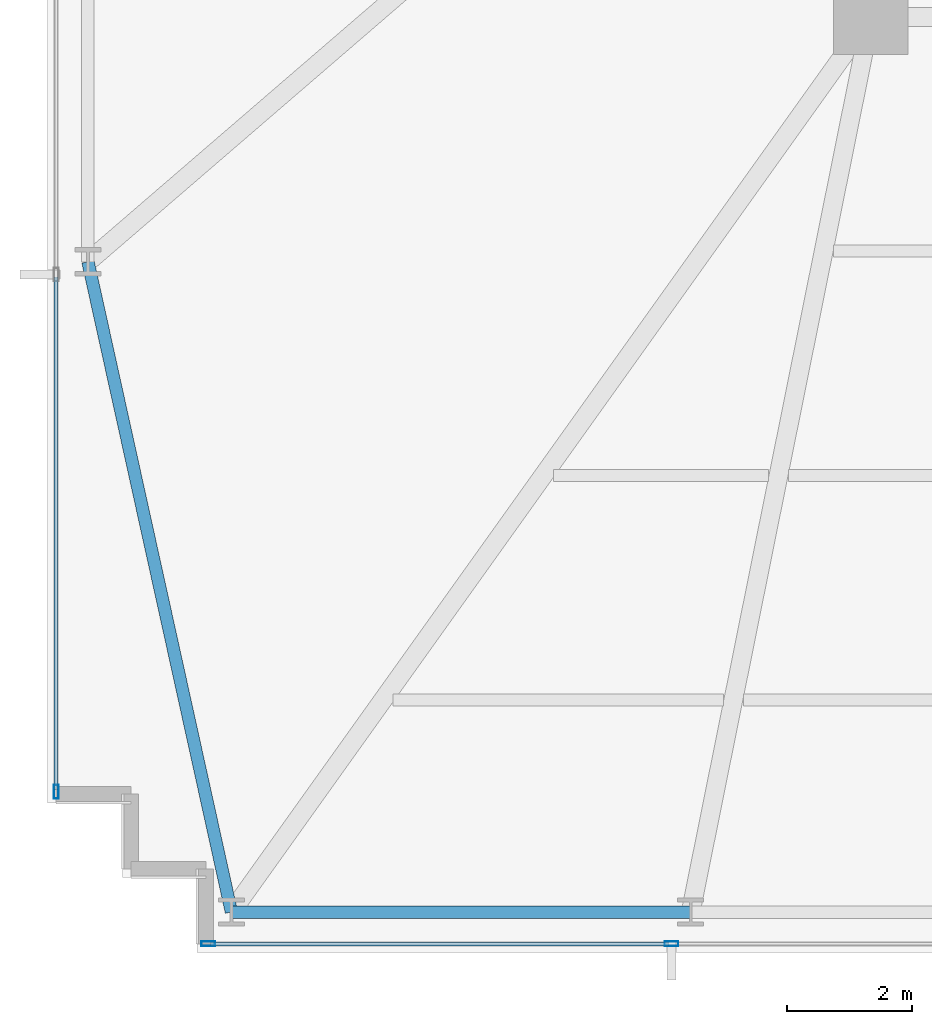
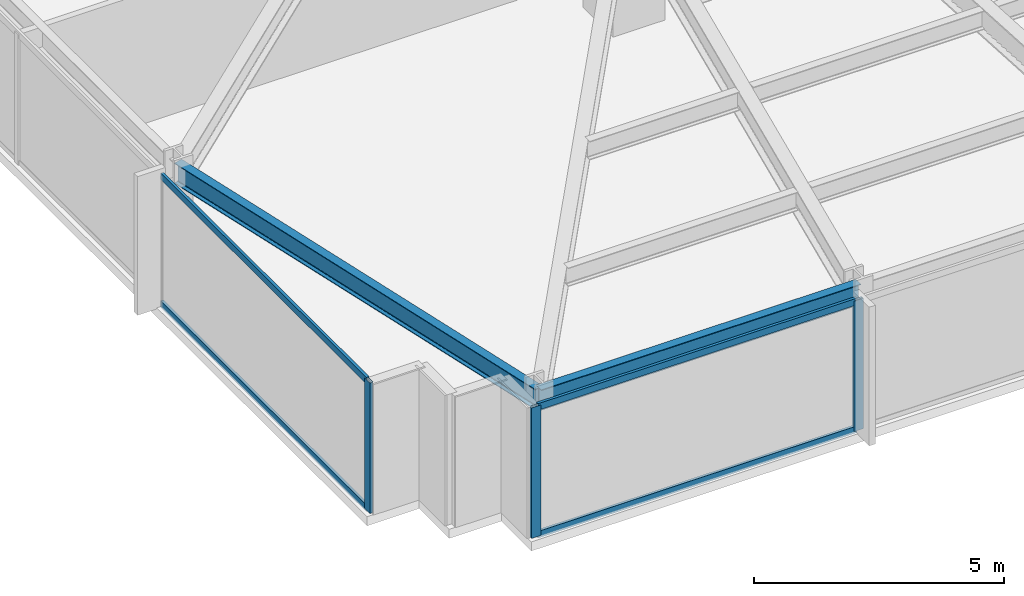
# One storey, part 2 of 32: 7 members, 2 beams, 2 elements without a shape of their own.
"""IFC4 building model written with IfcOpenShell, lengths in metres."""

from ifc_helpers import new_model, si_unit, direction, frame, origin, origin_2d, place, context, subcontext, project, spatial, hollow_rectangle, i_section, extrude, material, material_profile, profile_set, type_object, element, aggregate, save


model = new_model("IFC4")

# Units and contexts
model_context = context("Model", 3, precision=1e-05, world=origin(), true_north=direction((0.0, 1.0)))
body_context = subcontext(model_context, "Body", "Model", "MODEL_VIEW")
ifc_project = project(units=[si_unit("LENGTHUNIT", "METRE"), si_unit("AREAUNIT", "SQUARE_METRE"), si_unit("VOLUMEUNIT", "CUBIC_METRE"), si_unit("PLANEANGLEUNIT", "RADIAN"), si_unit("MASSUNIT", "GRAM", prefix="KILO")], contexts=[model_context])

# Site, building, storey
site_placement = place(None, origin())
site = spatial("IfcSite", under=ifc_project, at=site_placement, CompositionType="ELEMENT")
building_placement = place(site_placement, origin())
building = spatial("IfcBuilding", under=site, at=building_placement, Name="Yelkora Congress Tower", CompositionType="ELEMENT")
storey_placement = place(building_placement, frame((0.0, 0.0, 57.60009765625)))
storey = spatial("IfcBuildingStorey", under=building, at=storey_placement, Name="L14", CompositionType="ELEMENT", Elevation=57.60009765625)

# Beams
ifc_material_1 = material(Name="Steel S355J2", Category="steel")
ifc_material_profile_1 = material_profile(ifc_material_1, i_section(OverallWidth=0.199951171875, OverallDepth=0.5, WebThickness=0.01025390625, FlangeThickness=0.01611328125, FilletRadius=0.02099609375, at=origin_2d()), Name="IPE 500")
ifc_profile_set_1 = profile_set([ifc_material_profile_1], Name="Steel S355J2")
beam_type = type_object("IfcBeamType", Name="BM-SPAN-IPE500", PredefinedType="SPANDREL", material=ifc_profile_set_1)
beam_1_placement = place(storey_placement, frame((6.64990234375, 21.27490234375, 2.929931640625), z_axis=(0.215450706142, -0.976514717361, 0.0), x_axis=(0.976514717361, 0.215450706142, 0.0)))
element("IfcBeam", 1, at=beam_1_placement, inside=storey, type_object=beam_type, Name="L14 Perimeter Beam 1", PredefinedType="SPANDREL", context=body_context, shape_type="SweptSolid", body=[
    extrude(i_section(OverallWidth=0.199951171875, OverallDepth=0.5, WebThickness=0.01025390625, FlangeThickness=0.01611328125, FilletRadius=0.02099609375, at=origin_2d()), origin(), (0.0, 0.0, 1.0), 10.675537109375),
])
beam_2_placement = place(storey_placement, frame((8.949951171875, 10.85009765625, 2.929931640625), z_axis=(1.0, 0.0, 0.0), x_axis=(0.0, 1.0, 0.0)))
element("IfcBeam", 2, at=beam_2_placement, inside=storey, type_object=beam_type, Name="L14 Perimeter Beam 2", PredefinedType="SPANDREL", context=body_context, shape_type="SweptSolid", body=[
    extrude(i_section(OverallWidth=0.199951171875, OverallDepth=0.5, WebThickness=0.01025390625, FlangeThickness=0.01611328125, FilletRadius=0.02099609375, at=origin_2d()), origin(), (0.0, 0.0, 1.0), 7.362548828125),
])

# Curtain wall, member
ifc_material_2 = material(Name="Anodised aluminium and insulated glass", Category="aluminium")
curtain_wall_type = type_object("IfcCurtainWallType", Name="CW-SYS-B1", PredefinedType="NOTDEFINED", material=ifc_material_2)
curtain_wall_1_placement = place(storey_placement, origin())
curtain_wall_1 = element("IfcCurtainWall", 3, at=curtain_wall_1_placement, inside=storey, type_object=curtain_wall_type, Name="L14 Unitised Curtain Wall 5", PredefinedType="NOTDEFINED")
ifc_material_3 = material(Name="Anodised aluminium 6063-T6", Category="aluminium")
ifc_material_profile_2 = material_profile(ifc_material_3, hollow_rectangle(XDim=0.074951171875, YDim=0.219970703125, WallThickness=0.0048828125, at=origin_2d()), Name="ALU 75x220x5")
ifc_profile_set_2 = profile_set([ifc_material_profile_2], Name="Anodised aluminium 6063-T6")
member_type_1 = type_object("IfcMemberType", Name="MEM-ML-B1", PredefinedType="MULLION", material=ifc_profile_set_2)
member_1_placement = place(storey_placement, frame((6.139892578125, 12.777587890625, 0.0), z_axis=(0.0, 0.0, 1.0), x_axis=(-1.0, 0.0, 0.0)))
member_1 = element("IfcMember", 4, at=member_1_placement, type_object=member_type_1, Name="CW-B1 mullion 1", PredefinedType="MULLION", context=body_context, shape_type="SweptSolid", body=[
    extrude(hollow_rectangle(XDim=0.074951171875, YDim=0.219970703125, WallThickness=0.0048828125, at=origin_2d()), origin(), (0.0, 0.0, 1.0), 3.179931640625),
])

# Curtain wall, members
curtain_wall_2_placement = place(storey_placement, origin())
curtain_wall_2 = element("IfcCurtainWall", 5, at=curtain_wall_2_placement, inside=storey, type_object=curtain_wall_type, Name="L14 Unitised Curtain Wall 20", PredefinedType="NOTDEFINED")
member_2_placement = place(storey_placement, frame((16.0048828125, 10.340087890625, 0.0), z_axis=(0.0, 0.0, 1.0), x_axis=(0.0, -1.0, 0.0)))
member_2 = element("IfcMember", 6, at=member_2_placement, type_object=member_type_1, Name="CW-B1 mullion 8", PredefinedType="MULLION", context=body_context, shape_type="SweptSolid", body=[
    extrude(hollow_rectangle(XDim=0.074951171875, YDim=0.219970703125, WallThickness=0.0048828125, at=origin_2d()), origin(), (0.0, 0.0, 1.0), 3.179931640625),
])
member_3_placement = place(storey_placement, frame((8.577392578125, 10.340087890625, 0.0), z_axis=(0.0, 0.0, 1.0), x_axis=(0.0, -1.0, 0.0)))
member_3 = element("IfcMember", 7, at=member_3_placement, type_object=member_type_1, Name="CW-B1 mullion 9", PredefinedType="MULLION", context=body_context, shape_type="SweptSolid", body=[
    extrude(hollow_rectangle(XDim=0.074951171875, YDim=0.219970703125, WallThickness=0.0048828125, at=origin_2d()), origin(), (0.0, 0.0, 1.0), 3.179931640625),
])

# Member
ifc_material_profile_3 = material_profile(ifc_material_3, hollow_rectangle(XDim=0.06494140625, YDim=0.159912109375, WallThickness=0.00390625, at=origin_2d()), Name="ALU 65x160x4")
ifc_profile_set_3 = profile_set([ifc_material_profile_3], Name="Anodised aluminium 6063-T6")
member_type_2 = type_object("IfcMemberType", Name="MEM-TR-B1", PredefinedType="USERDEFINED", material=ifc_profile_set_3)
member_4_placement = place(storey_placement, frame((6.139892578125, 12.81494140625, 0.032470703125), z_axis=(0.0, 1.0, 0.0), x_axis=(-1.0, 0.0, 0.0)))
member_4 = element("IfcMember", 8, at=member_4_placement, type_object=member_type_2, Name="CW-B1 transom 1.1", ObjectType="TRANSOM", PredefinedType="USERDEFINED", context=body_context, shape_type="SweptSolid", body=[
    extrude(hollow_rectangle(XDim=0.06494140625, YDim=0.159912109375, WallThickness=0.00390625, at=origin_2d()), origin(), (0.0, 0.0, 1.0), 8.217529296875),
])

member_5_placement = place(storey_placement, frame((6.139892578125, 12.81494140625, 3.1474609375), z_axis=(0.0, 1.0, 0.0), x_axis=(-1.0, 0.0, 0.0)))
member_5 = element("IfcMember", 9, at=member_5_placement, type_object=member_type_2, Name="CW-B1 transom 1.2", ObjectType="TRANSOM", PredefinedType="USERDEFINED", context=body_context, shape_type="SweptSolid", body=[
    extrude(hollow_rectangle(XDim=0.06494140625, YDim=0.159912109375, WallThickness=0.00390625, at=origin_2d()), origin(), (0.0, 0.0, 1.0), 8.217529296875),
])

aggregate(curtain_wall_1, [member_1, member_4, member_5])

member_6_placement = place(storey_placement, frame((15.967529296875, 10.340087890625, 0.032470703125), z_axis=(-1.0, 0.0, 0.0), x_axis=(0.0, -1.0, 0.0)))
member_6 = element("IfcMember", 10, at=member_6_placement, type_object=member_type_2, Name="CW-B1 transom 8.1", ObjectType="TRANSOM", PredefinedType="USERDEFINED", context=body_context, shape_type="SweptSolid", body=[
    extrude(hollow_rectangle(XDim=0.06494140625, YDim=0.159912109375, WallThickness=0.00390625, at=origin_2d()), origin(), (0.0, 0.0, 1.0), 7.3525390625),
])

member_7_placement = place(storey_placement, frame((15.967529296875, 10.340087890625, 3.1474609375), z_axis=(-1.0, 0.0, 0.0), x_axis=(0.0, -1.0, 0.0)))
member_7 = element("IfcMember", 11, at=member_7_placement, type_object=member_type_2, Name="CW-B1 transom 8.2", ObjectType="TRANSOM", PredefinedType="USERDEFINED", context=body_context, shape_type="SweptSolid", body=[
    extrude(hollow_rectangle(XDim=0.06494140625, YDim=0.159912109375, WallThickness=0.00390625, at=origin_2d()), origin(), (0.0, 0.0, 1.0), 7.3525390625),
])

aggregate(curtain_wall_2, [member_2, member_3, member_6, member_7])

save(model, "model.ifc")
